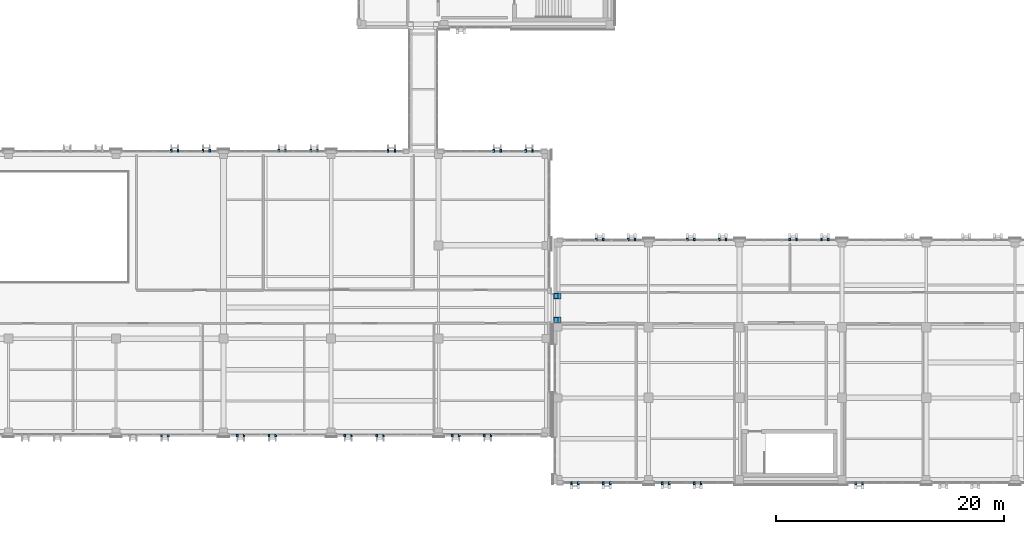
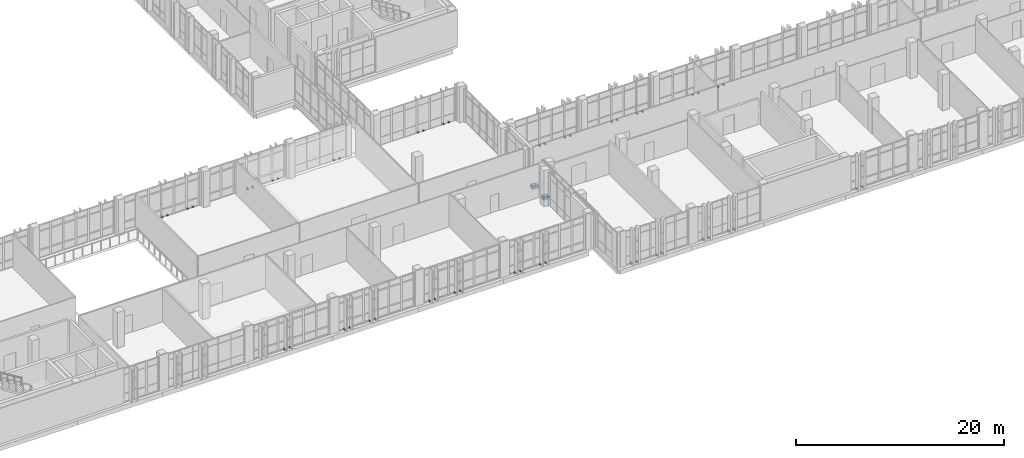
# One storey, part 166 of 193: 54 discrete accessories.
"""IFC4 building model written with IfcOpenShell, lengths in metres."""

from ifc_helpers import new_model, si_unit, direction, frame, origin, origin_2d, place, context, subcontext, project, spatial, rectangle, extrude, material, type_object, element, save


model = new_model("IFC4")

# Units and contexts
model_context = context("Model", 3, precision=1e-05, world=origin(), true_north=direction((0.0, 1.0)))
body_context = subcontext(model_context, "Body", "Model", "MODEL_VIEW")
ifc_project = project(units=[si_unit("LENGTHUNIT", "METRE"), si_unit("AREAUNIT", "SQUARE_METRE"), si_unit("VOLUMEUNIT", "CUBIC_METRE"), si_unit("PLANEANGLEUNIT", "RADIAN"), si_unit("MASSUNIT", "GRAM", prefix="KILO")], contexts=[model_context])

# Site, building, storey
site_placement = place(None, origin())
site = spatial("IfcSite", under=ifc_project, at=site_placement, CompositionType="ELEMENT")
building_placement = place(site_placement, origin())
building = spatial("IfcBuilding", under=site, at=building_placement, Name="Qalavern Law Courts", CompositionType="ELEMENT")
storey_placement = place(building_placement, frame((0.0, 0.0, 10.199951171875)))
storey = spatial("IfcBuildingStorey", under=building, at=storey_placement, Name="L02", CompositionType="ELEMENT", Elevation=10.199951171875)

# Discrete accessories
ifc_material_1 = material(Name="Steel S355", Category="steel")
discrete_accessory_type_1 = type_object("IfcDiscreteAccessoryType", Name="ENV-BRK-FIN", PredefinedType="BRACKET", material=ifc_material_1)
for number, where, z_axis, x_axis, name in (
    (1, (66.98291015625, 5.294921875, -0.06982421875), (0.0, 0.0, 1.0), (0.0, -1.0, 0.0), "Stone blade anchor bracket 0057"),
    (2, (67.5830078125, 5.294921875, -0.06982421875), (0.0, 0.0, 1.0), (0.0, -1.0, 0.0), "Stone blade anchor bracket 0058"),
    (3, (73.63720703125, 5.294921875, -0.06982421875), (0.0, 0.0, 1.0), (0.0, -1.0, 0.0), "Stone blade anchor bracket 0059"),
    (4, (74.237060546875, 5.294921875, -0.06982421875), (0.0, 0.0, 1.0), (0.0, -1.0, 0.0), "Stone blade anchor bracket 0060"),
    (5, (76.43701171875, 5.294921875, -0.06982421875), (0.0, 0.0, 1.0), (0.0, -1.0, 0.0), "Stone blade anchor bracket 0061"),
    (6, (77.037109375, 5.294921875, -0.06982421875), (0.0, 0.0, 1.0), (0.0, -1.0, 0.0), "Stone blade anchor bracket 0062"),
    (7, (83.09130859375, 5.294921875, -0.06982421875), (0.0, 0.0, 1.0), (0.0, -1.0, 0.0), "Stone blade anchor bracket 0063"),
    (8, (83.69140625, 5.294921875, -0.06982421875), (0.0, 0.0, 1.0), (0.0, -1.0, 0.0), "Stone blade anchor bracket 0064"),
    (9, (85.891357421875, 5.294921875, -0.06982421875), (0.0, 0.0, 1.0), (0.0, -1.0, 0.0), "Stone blade anchor bracket 0065"),
    (10, (86.491455078125, 5.294921875, -0.06982421875), (0.0, 0.0, 1.0), (0.0, -1.0, 0.0), "Stone blade anchor bracket 0066"),
    (11, (92.545654296875, 5.294921875, -0.06982421875), (0.0, 0.0, 1.0), (0.0, -1.0, 0.0), "Stone blade anchor bracket 0067"),
    (12, (93.145751953125, 5.294921875, -0.06982421875), (0.0, 0.0, 1.0), (0.0, -1.0, 0.0), "Stone blade anchor bracket 0068"),
    (13, (95.345703125, 5.294921875, -0.06982421875), (0.0, 0.0, 1.0), (0.0, -1.0, 0.0), "Stone blade anchor bracket 0069"),
    (14, (95.94580078125, 5.294921875, -0.06982421875), (0.0, 0.0, 1.0), (0.0, -1.0, 0.0), "Stone blade anchor bracket 0070"),
    (15, (99.60009765625, 30.304931640625, -0.06982421875), (0.0, 0.0, 1.0), (0.0, 1.0, 0.0), "Stone blade anchor bracket 0071"),
    (16, (99.0, 30.304931640625, -0.06982421875), (0.0, 0.0, 1.0), (0.0, 1.0, 0.0), "Stone blade anchor bracket 0072"),
    (17, (96.800048828125, 30.304931640625, -0.06982421875), (0.0, 0.0, 1.0), (0.0, 1.0, 0.0), "Stone blade anchor bracket 0073"),
    (18, (96.199951171875, 30.304931640625, -0.06982421875), (0.0, 0.0, 1.0), (0.0, 1.0, 0.0), "Stone blade anchor bracket 0074"),
    (19, (87.5, 30.304931640625, -0.06982421875), (0.0, 0.0, 1.0), (0.0, 1.0, 0.0), "Stone blade anchor bracket 0075"),
    (20, (86.89990234375, 30.304931640625, -0.06982421875), (0.0, 0.0, 1.0), (0.0, 1.0, 0.0), "Stone blade anchor bracket 0076"),
    (21, (80.69140625, 30.304931640625, -0.06982421875), (0.0, 0.0, 1.0), (0.0, 1.0, 0.0), "Stone blade anchor bracket 0077"),
    (22, (80.09130859375, 30.304931640625, -0.06982421875), (0.0, 0.0, 1.0), (0.0, 1.0, 0.0), "Stone blade anchor bracket 0078"),
    (23, (77.891357421875, 30.304931640625, -0.06982421875), (0.0, 0.0, 1.0), (0.0, 1.0, 0.0), "Stone blade anchor bracket 0079"),
    (24, (77.29150390625, 30.304931640625, -0.06982421875), (0.0, 0.0, 1.0), (0.0, 1.0, 0.0), "Stone blade anchor bracket 0080"),
    (25, (71.237060546875, 30.304931640625, -0.06982421875), (0.0, 0.0, 1.0), (0.0, 1.0, 0.0), "Stone blade anchor bracket 0081"),
    (26, (70.63720703125, 30.304931640625, -0.06982421875), (0.0, 0.0, 1.0), (0.0, 1.0, 0.0), "Stone blade anchor bracket 0082"),
    (27, (68.43701171875, 30.304931640625, -0.06982421875), (0.0, 0.0, 1.0), (0.0, 1.0, 0.0), "Stone blade anchor bracket 0083"),
    (28, (67.837158203125, 30.304931640625, -0.06982421875), (0.0, 0.0, 1.0), (0.0, 1.0, 0.0), "Stone blade anchor bracket 0084"),
    (29, (103.02001953125, 1.094970703125, -0.06982421875), (0.0, 0.0, 1.0), (0.0, -1.0, 0.0), "Stone blade anchor bracket 1257"),
    (30, (103.6201171875, 1.094970703125, -0.06982421875), (0.0, 0.0, 1.0), (0.0, -1.0, 0.0), "Stone blade anchor bracket 1258"),
    (31, (105.820068359375, 1.094970703125, -0.06982421875), (0.0, 0.0, 1.0), (0.0, -1.0, 0.0), "Stone blade anchor bracket 1259"),
    (32, (106.419921875, 1.094970703125, -0.06982421875), (0.0, 0.0, 1.0), (0.0, -1.0, 0.0), "Stone blade anchor bracket 1260"),
    (33, (111.0, 1.094970703125, -0.06982421875), (0.0, 0.0, 1.0), (0.0, -1.0, 0.0), "Stone blade anchor bracket 1261"),
    (34, (111.60009765625, 1.094970703125, -0.06982421875), (0.0, 0.0, 1.0), (0.0, -1.0, 0.0), "Stone blade anchor bracket 1262"),
    (35, (113.800048828125, 1.094970703125, -0.06982421875), (0.0, 0.0, 1.0), (0.0, -1.0, 0.0), "Stone blade anchor bracket 1263"),
    (36, (114.39990234375, 1.094970703125, -0.06982421875), (0.0, 0.0, 1.0), (0.0, -1.0, 0.0), "Stone blade anchor bracket 1264"),
    (37, (128.0, 1.094970703125, -0.06982421875), (0.0, 0.0, 1.0), (0.0, -1.0, 0.0), "Stone blade anchor bracket 1265"),
    (38, (128.60009765625, 1.094970703125, -0.06982421875), (0.0, 0.0, 1.0), (0.0, -1.0, 0.0), "Stone blade anchor bracket 1266"),
    (39, (125.60009765625, 22.5048828125, -0.06982421875), (0.0, 0.0, 1.0), (0.0, 1.0, 0.0), "Stone blade anchor bracket 1307"),
    (40, (125.0, 22.5048828125, -0.06982421875), (0.0, 0.0, 1.0), (0.0, 1.0, 0.0), "Stone blade anchor bracket 1308"),
    (41, (122.800048828125, 22.5048828125, -0.06982421875), (0.0, 0.0, 1.0), (0.0, 1.0, 0.0), "Stone blade anchor bracket 1309"),
    (42, (122.199951171875, 22.5048828125, -0.06982421875), (0.0, 0.0, 1.0), (0.0, 1.0, 0.0), "Stone blade anchor bracket 1310"),
    (43, (116.60009765625, 22.5048828125, -0.06982421875), (0.0, 0.0, 1.0), (0.0, 1.0, 0.0), "Stone blade anchor bracket 1311"),
    (44, (116.0, 22.5048828125, -0.06982421875), (0.0, 0.0, 1.0), (0.0, 1.0, 0.0), "Stone blade anchor bracket 1312"),
    (45, (113.800048828125, 22.5048828125, -0.06982421875), (0.0, 0.0, 1.0), (0.0, 1.0, 0.0), "Stone blade anchor bracket 1313"),
    (46, (113.199951171875, 22.5048828125, -0.06982421875), (0.0, 0.0, 1.0), (0.0, 1.0, 0.0), "Stone blade anchor bracket 1314"),
    (47, (108.60009765625, 22.5048828125, -0.06982421875), (0.0, 0.0, 1.0), (0.0, 1.0, 0.0), "Stone blade anchor bracket 1315"),
    (48, (108.0, 22.5048828125, -0.06982421875), (0.0, 0.0, 1.0), (0.0, 1.0, 0.0), "Stone blade anchor bracket 1316"),
    (49, (105.800048828125, 22.5048828125, -0.06982421875), (0.0, 0.0, 1.0), (0.0, 1.0, 0.0), "Stone blade anchor bracket 1317"),
    (50, (105.199951171875, 22.5048828125, -0.06982421875), (0.0, 0.0, 1.0), (0.0, 1.0, 0.0), "Stone blade anchor bracket 1318"),
):
    element("IfcDiscreteAccessory", number, at=place(storey_placement, frame(where, z_axis=z_axis, x_axis=x_axis)), inside=storey, type_object=discrete_accessory_type_1, Name=name, PredefinedType="BRACKET", context=body_context, shape_type="SweptSolid", body=[
        extrude(rectangle(XDim=0.239990234375, YDim=0.159912109375, at=origin_2d()), origin(), (0.0, 0.0, 1.0), 0.179931640625),
    ])
ifc_material_2 = material(Name="Concrete C45/55", Category="concrete")
discrete_accessory_type_2 = type_object("IfcDiscreteAccessoryType", Name="STR-CORBEL-700", PredefinedType="BRACKET", material=ifc_material_2)
for number, where, z_axis, x_axis, name in (
    (51, (101.77001953125, 15.449951171875, -0.68994140625), (0.0, 0.0, 1.0), (1.0, 0.0, 0.0), "Bridge BR-V2-V6 700 mm corbel seat 1 L02"),
    (52, (101.77001953125, 17.550048828125, -0.68994140625), (0.0, 0.0, 1.0), (1.0, 0.0, 0.0), "Bridge BR-V2-V6 700 mm corbel seat 2 L02"),
):
    element("IfcDiscreteAccessory", number, at=place(storey_placement, frame(where, z_axis=z_axis, x_axis=x_axis)), inside=storey, type_object=discrete_accessory_type_2, Name=name, PredefinedType="BRACKET", context=body_context, shape_type="SweptSolid", body=[
        extrude(rectangle(XDim=0.699951171875, YDim=0.5, at=origin_2d()), origin(), (0.0, 0.0, 1.0), 0.320068359375),
    ])
discrete_accessory_type_3 = type_object("IfcDiscreteAccessoryType", Name="STR-SHOE-PTFE350", PredefinedType="SHOE", material=ifc_material_1)
for number, where, z_axis, x_axis, name in (
    (53, (101.669921875, 15.449951171875, -0.369873046875), (0.0, 0.0, 1.0), (1.0, 0.0, 0.0), "Seismic bridge PTFE sliding bearing 19"),
    (54, (101.669921875, 17.550048828125, -0.369873046875), (0.0, 0.0, 1.0), (1.0, 0.0, 0.0), "Seismic bridge PTFE sliding bearing 20"),
):
    element("IfcDiscreteAccessory", number, at=place(storey_placement, frame(where, z_axis=z_axis, x_axis=x_axis)), inside=storey, type_object=discrete_accessory_type_3, Name=name, PredefinedType="SHOE", context=body_context, shape_type="SweptSolid", body=[
        extrude(rectangle(XDim=0.35009765625, YDim=0.449951171875, at=origin_2d()), origin(), (0.0, 0.0, 1.0), 0.080078125),
    ])

save(model, "model.ifc")
